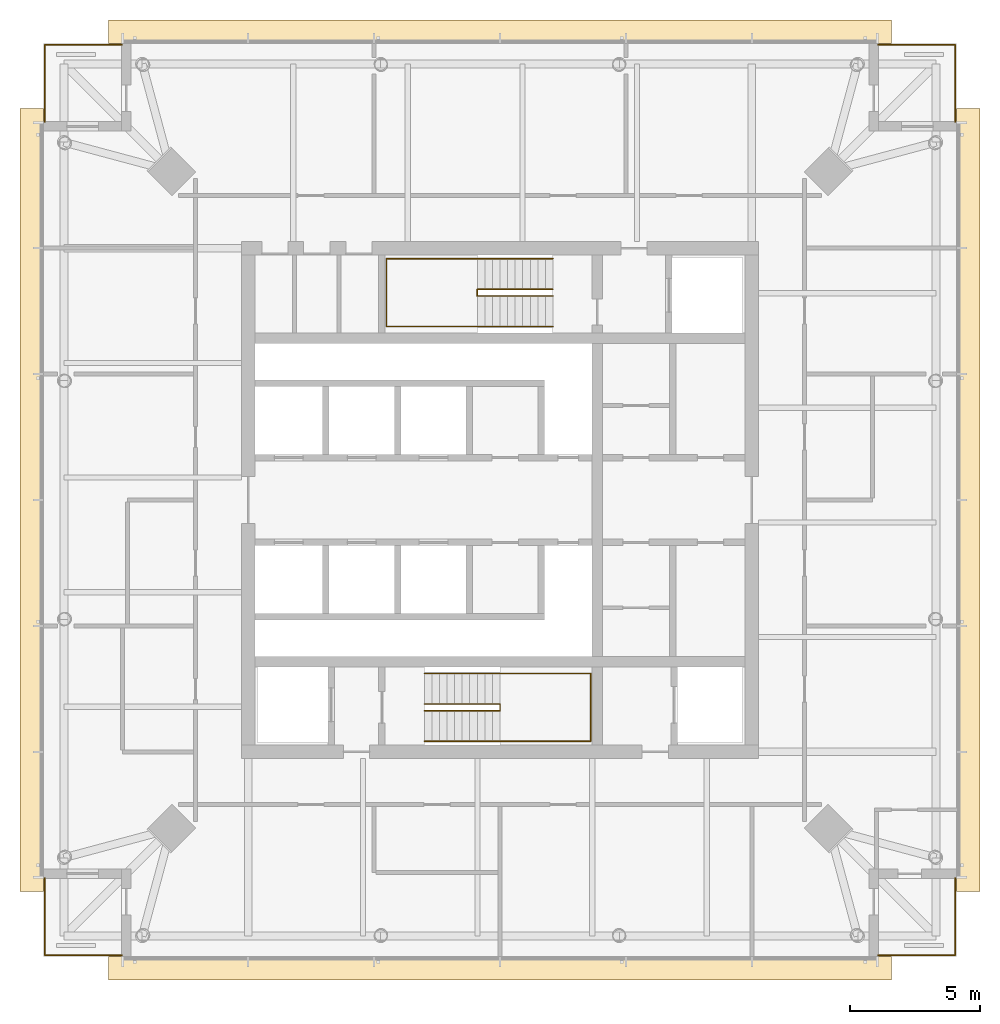
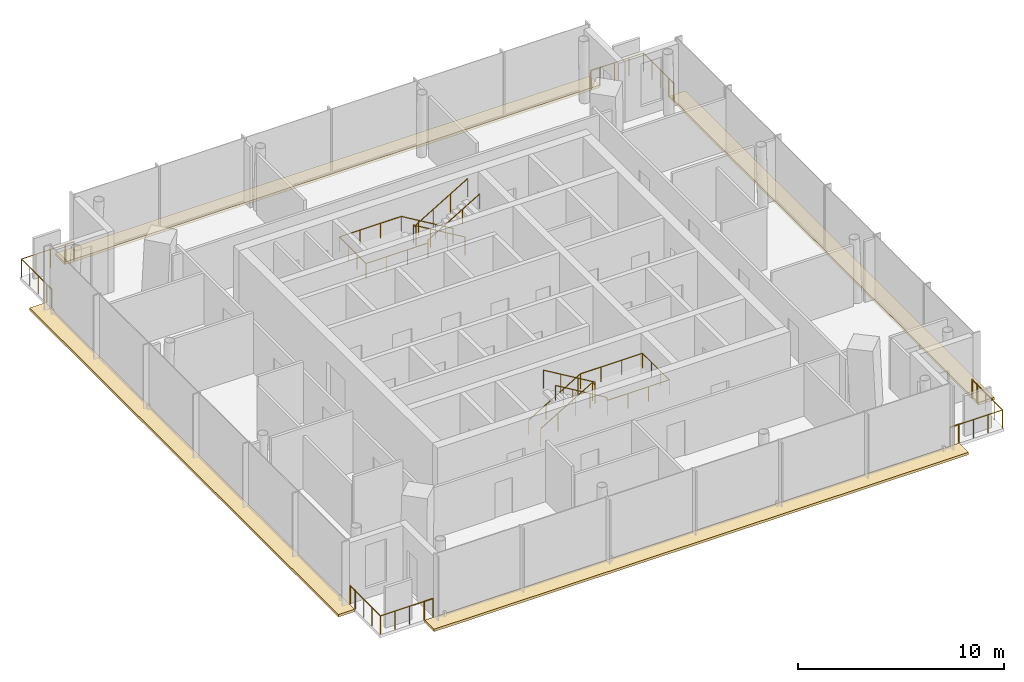
# One storey, part 11 of 11: 16 railings, 4 coverings.
"""IFC4 building model written with IfcOpenShell, lengths in metres."""

from ifc_helpers import new_model, si_unit, direction, frame, origin, origin_2d, place, context, subcontext, project, spatial, polyline, circle, outline, extrude, material, layer, layer_set, type_object, element, save


model = new_model("IFC4")

# Units and contexts
model_context = context("Model", 3, precision=1e-05, world=origin(), true_north=direction((0.0, 1.0)))
body_context = subcontext(model_context, "Body", "Model", "MODEL_VIEW")
ifc_project = project(units=[si_unit("LENGTHUNIT", "METRE"), si_unit("AREAUNIT", "SQUARE_METRE"), si_unit("VOLUMEUNIT", "CUBIC_METRE"), si_unit("PLANEANGLEUNIT", "RADIAN"), si_unit("MASSUNIT", "GRAM", prefix="KILO")], contexts=[model_context])

# Site, building, storey
site_placement = place(None, origin())
site = spatial("IfcSite", under=ifc_project, at=site_placement, CompositionType="ELEMENT")
building_placement = place(site_placement, origin())
building = spatial("IfcBuilding", under=site, at=building_placement, Name="Ostroluk Exchange", CompositionType="ELEMENT")
storey_placement = place(building_placement, frame((0.0, 0.0, 249.0)))
storey = spatial("IfcBuildingStorey", under=building, at=storey_placement, Name="L64", CompositionType="ELEMENT", Elevation=249.0)

# Railings
ifc_material_1 = material(Name="Stainless steel", Category="steel")
railing_type_1 = type_object("IfcRailingType", Name="Guard 1100 stainless steel", PredefinedType="GUARDRAIL", material=ifc_material_1)
railing_1_placement = place(storey_placement, frame((60.0, 28.550048828125, 0.0)))
element("IfcRailing", 1, at=railing_1_placement, inside=storey, type_object=railing_type_1, Name="Office tower SE balcony guard L64", PredefinedType="GUARDRAIL", context=body_context, shape_type="SweptSolid", body=[
    extrude(circle(Radius=0.02392578125, at=origin_2d()), frame((0.0, 0.0, 1.076171875), z_axis=(1.0, 0.0, 0.0), x_axis=(0.0, 1.0, 0.0)), (0.0, 0.0, 1.0), 2.449951171875),
    extrude(circle(Radius=0.02392578125, at=origin_2d()), frame((2.449951171875, 0.0, 1.076171875), z_axis=(0.0, 1.0, 0.0), x_axis=(-1.0, 0.0, 0.0)), (0.0, 0.0, 1.0), 2.449951171875),
    extrude(circle(Radius=0.02099609375, at=origin_2d()), origin(), (0.0, 0.0, 1.0), 1.052001953125),
    extrude(circle(Radius=0.02099609375, at=origin_2d()), frame((0.816650390625, 0.0, 0.0)), (0.0, 0.0, 1.0), 1.052001953125),
    extrude(circle(Radius=0.02099609375, at=origin_2d()), frame((1.63330078125, 0.0, 0.0)), (0.0, 0.0, 1.0), 1.052001953125),
    extrude(circle(Radius=0.02099609375, at=origin_2d()), frame((2.449951171875, 0.0, 0.0)), (0.0, 0.0, 1.0), 1.052001953125),
    extrude(circle(Radius=0.02099609375, at=origin_2d()), frame((2.449951171875, 0.816650390625, 0.0)), (0.0, 0.0, 1.0), 1.052001953125),
    extrude(circle(Radius=0.02099609375, at=origin_2d()), frame((2.449951171875, 1.63330078125, 0.0)), (0.0, 0.0, 1.0), 1.052001953125),
    extrude(circle(Radius=0.02099609375, at=origin_2d()), frame((2.449951171875, 2.449951171875, 0.0)), (0.0, 0.0, 1.0), 1.052001953125),
])
railing_2_placement = place(storey_placement, frame((60.0, 63.449951171875, 0.0)))
element("IfcRailing", 2, at=railing_2_placement, inside=storey, type_object=railing_type_1, Name="Office tower NE balcony guard L64", PredefinedType="GUARDRAIL", context=body_context, shape_type="SweptSolid", body=[
    extrude(circle(Radius=0.02392578125, at=origin_2d()), frame((0.0, 0.0, 1.076171875), z_axis=(1.0, 0.0, 0.0), x_axis=(0.0, 1.0, 0.0)), (0.0, 0.0, 1.0), 2.449951171875),
    extrude(circle(Radius=0.02392578125, at=origin_2d()), frame((2.449951171875, 0.0, 1.076171875), z_axis=(0.0, -1.0, 0.0), x_axis=(1.0, 0.0, 0.0)), (0.0, 0.0, 1.0), 2.449951171875),
    extrude(circle(Radius=0.02099609375, at=origin_2d()), origin(), (0.0, 0.0, 1.0), 1.052001953125),
    extrude(circle(Radius=0.02099609375, at=origin_2d()), frame((0.816650390625, 0.0, 0.0)), (0.0, 0.0, 1.0), 1.052001953125),
    extrude(circle(Radius=0.02099609375, at=origin_2d()), frame((1.63330078125, 0.0, 0.0)), (0.0, 0.0, 1.0), 1.052001953125),
    extrude(circle(Radius=0.02099609375, at=origin_2d()), frame((2.449951171875, 0.0, 0.0)), (0.0, 0.0, 1.0), 1.052001953125),
    extrude(circle(Radius=0.02099609375, at=origin_2d()), frame((2.449951171875, -0.816650390625, 0.0)), (0.0, 0.0, 1.0), 1.052001953125),
    extrude(circle(Radius=0.02099609375, at=origin_2d()), frame((2.449951171875, -1.63330078125, 0.0)), (0.0, 0.0, 1.0), 1.052001953125),
    extrude(circle(Radius=0.02099609375, at=origin_2d()), frame((2.449951171875, -2.449951171875, 0.0)), (0.0, 0.0, 1.0), 1.052001953125),
])
railing_3_placement = place(storey_placement, frame((30.0, 63.449951171875, 0.0)))
element("IfcRailing", 3, at=railing_3_placement, inside=storey, type_object=railing_type_1, Name="Office tower NW balcony guard L64", PredefinedType="GUARDRAIL", context=body_context, shape_type="SweptSolid", body=[
    extrude(circle(Radius=0.02392578125, at=origin_2d()), frame((0.0, 0.0, 1.076171875), z_axis=(-1.0, 0.0, 0.0), x_axis=(0.0, -1.0, 0.0)), (0.0, 0.0, 1.0), 2.449951171875),
    extrude(circle(Radius=0.02392578125, at=origin_2d()), frame((-2.449951171875, 0.0, 1.076171875), z_axis=(0.0, -1.0, 0.0), x_axis=(1.0, 0.0, 0.0)), (0.0, 0.0, 1.0), 2.449951171875),
    extrude(circle(Radius=0.02099609375, at=origin_2d()), origin(), (0.0, 0.0, 1.0), 1.052001953125),
    extrude(circle(Radius=0.02099609375, at=origin_2d()), frame((-0.816650390625, 0.0, 0.0)), (0.0, 0.0, 1.0), 1.052001953125),
    extrude(circle(Radius=0.02099609375, at=origin_2d()), frame((-1.63330078125, 0.0, 0.0)), (0.0, 0.0, 1.0), 1.052001953125),
    extrude(circle(Radius=0.02099609375, at=origin_2d()), frame((-2.449951171875, 0.0, 0.0)), (0.0, 0.0, 1.0), 1.052001953125),
    extrude(circle(Radius=0.02099609375, at=origin_2d()), frame((-2.449951171875, -0.816650390625, 0.0)), (0.0, 0.0, 1.0), 1.052001953125),
    extrude(circle(Radius=0.02099609375, at=origin_2d()), frame((-2.449951171875, -1.63330078125, 0.0)), (0.0, 0.0, 1.0), 1.052001953125),
    extrude(circle(Radius=0.02099609375, at=origin_2d()), frame((-2.449951171875, -2.449951171875, 0.0)), (0.0, 0.0, 1.0), 1.052001953125),
])
railing_4_placement = place(storey_placement, frame((30.0, 28.550048828125, 0.0)))
element("IfcRailing", 4, at=railing_4_placement, inside=storey, type_object=railing_type_1, Name="Office tower SW balcony guard L64", PredefinedType="GUARDRAIL", context=body_context, shape_type="SweptSolid", body=[
    extrude(circle(Radius=0.02392578125, at=origin_2d()), frame((0.0, 0.0, 1.076171875), z_axis=(-1.0, 0.0, 0.0), x_axis=(0.0, -1.0, 0.0)), (0.0, 0.0, 1.0), 2.449951171875),
    extrude(circle(Radius=0.02392578125, at=origin_2d()), frame((-2.449951171875, 0.0, 1.076171875), z_axis=(0.0, 1.0, 0.0), x_axis=(-1.0, 0.0, 0.0)), (0.0, 0.0, 1.0), 2.449951171875),
    extrude(circle(Radius=0.02099609375, at=origin_2d()), origin(), (0.0, 0.0, 1.0), 1.052001953125),
    extrude(circle(Radius=0.02099609375, at=origin_2d()), frame((-0.816650390625, 0.0, 0.0)), (0.0, 0.0, 1.0), 1.052001953125),
    extrude(circle(Radius=0.02099609375, at=origin_2d()), frame((-1.63330078125, 0.0, 0.0)), (0.0, 0.0, 1.0), 1.052001953125),
    extrude(circle(Radius=0.02099609375, at=origin_2d()), frame((-2.449951171875, 0.0, 0.0)), (0.0, 0.0, 1.0), 1.052001953125),
    extrude(circle(Radius=0.02099609375, at=origin_2d()), frame((-2.449951171875, 0.816650390625, 0.0)), (0.0, 0.0, 1.0), 1.052001953125),
    extrude(circle(Radius=0.02099609375, at=origin_2d()), frame((-2.449951171875, 1.63330078125, 0.0)), (0.0, 0.0, 1.0), 1.052001953125),
    extrude(circle(Radius=0.02099609375, at=origin_2d()), frame((-2.449951171875, 2.449951171875, 0.0)), (0.0, 0.0, 1.0), 1.052001953125),
])
ifc_material_2 = material(Name="Stainless steel", Category="steel")
railing_type_2 = type_object("IfcRailingType", Name="Lockable maintenance gate 1100", PredefinedType="GUARDRAIL", material=ifc_material_2)
railing_5_placement = place(storey_placement, frame((59.5, 28.550048828125, 0.0)))
element("IfcRailing", 5, at=railing_5_placement, inside=storey, type_object=railing_type_2, Name="Lockable maintenance gate T1 L64 SE", PredefinedType="GUARDRAIL", context=body_context, shape_type="SweptSolid", body=[
    extrude(circle(Radius=0.02392578125, at=origin_2d()), frame((0.0, 0.0, 1.076171875), z_axis=(1.0, 0.0, 0.0), x_axis=(0.0, 1.0, 0.0)), (0.0, 0.0, 1.0), 0.5),
    extrude(circle(Radius=0.02099609375, at=origin_2d()), origin(), (0.0, 0.0, 1.0), 1.052001953125),
    extrude(circle(Radius=0.02099609375, at=origin_2d()), frame((0.5, 0.0, 0.0)), (0.0, 0.0, 1.0), 1.052001953125),
])
railing_6_placement = place(storey_placement, frame((62.449951171875, 31.0, 0.0)))
element("IfcRailing", 6, at=railing_6_placement, inside=storey, type_object=railing_type_2, Name="Lockable maintenance gate T1 L64 SE", PredefinedType="GUARDRAIL", context=body_context, shape_type="SweptSolid", body=[
    extrude(circle(Radius=0.02392578125, at=origin_2d()), frame((0.0, 0.0, 1.076171875), z_axis=(0.0, 1.0, 0.0), x_axis=(-1.0, 0.0, 0.0)), (0.0, 0.0, 1.0), 0.5),
    extrude(circle(Radius=0.02099609375, at=origin_2d()), origin(), (0.0, 0.0, 1.0), 1.052001953125),
    extrude(circle(Radius=0.02099609375, at=origin_2d()), frame((0.0, 0.5, 0.0)), (0.0, 0.0, 1.0), 1.052001953125),
])
railing_7_placement = place(storey_placement, frame((59.5, 63.449951171875, 0.0)))
element("IfcRailing", 7, at=railing_7_placement, inside=storey, type_object=railing_type_2, Name="Lockable maintenance gate T1 L64 NE", PredefinedType="GUARDRAIL", context=body_context, shape_type="SweptSolid", body=[
    extrude(circle(Radius=0.02392578125, at=origin_2d()), frame((0.0, 0.0, 1.076171875), z_axis=(1.0, 0.0, 0.0), x_axis=(0.0, 1.0, 0.0)), (0.0, 0.0, 1.0), 0.5),
    extrude(circle(Radius=0.02099609375, at=origin_2d()), origin(), (0.0, 0.0, 1.0), 1.052001953125),
    extrude(circle(Radius=0.02099609375, at=origin_2d()), frame((0.5, 0.0, 0.0)), (0.0, 0.0, 1.0), 1.052001953125),
])
railing_8_placement = place(storey_placement, frame((62.449951171875, 61.0, 0.0)))
element("IfcRailing", 8, at=railing_8_placement, inside=storey, type_object=railing_type_2, Name="Lockable maintenance gate T1 L64 NE", PredefinedType="GUARDRAIL", context=body_context, shape_type="SweptSolid", body=[
    extrude(circle(Radius=0.02392578125, at=origin_2d()), frame((0.0, 0.0, 1.076171875), z_axis=(0.0, -1.0, 0.0), x_axis=(1.0, 0.0, 0.0)), (0.0, 0.0, 1.0), 0.5),
    extrude(circle(Radius=0.02099609375, at=origin_2d()), origin(), (0.0, 0.0, 1.0), 1.052001953125),
    extrude(circle(Radius=0.02099609375, at=origin_2d()), frame((0.0, -0.5, 0.0)), (0.0, 0.0, 1.0), 1.052001953125),
])
railing_9_placement = place(storey_placement, frame((30.5, 63.449951171875, 0.0)))
element("IfcRailing", 9, at=railing_9_placement, inside=storey, type_object=railing_type_2, Name="Lockable maintenance gate T1 L64 NW", PredefinedType="GUARDRAIL", context=body_context, shape_type="SweptSolid", body=[
    extrude(circle(Radius=0.02392578125, at=origin_2d()), frame((0.0, 0.0, 1.076171875), z_axis=(-1.0, 0.0, 0.0), x_axis=(0.0, -1.0, 0.0)), (0.0, 0.0, 1.0), 0.5),
    extrude(circle(Radius=0.02099609375, at=origin_2d()), origin(), (0.0, 0.0, 1.0), 1.052001953125),
    extrude(circle(Radius=0.02099609375, at=origin_2d()), frame((-0.5, 0.0, 0.0)), (0.0, 0.0, 1.0), 1.052001953125),
])
railing_10_placement = place(storey_placement, frame((27.550048828125, 61.0, 0.0)))
element("IfcRailing", 10, at=railing_10_placement, inside=storey, type_object=railing_type_2, Name="Lockable maintenance gate T1 L64 NW", PredefinedType="GUARDRAIL", context=body_context, shape_type="SweptSolid", body=[
    extrude(circle(Radius=0.02392578125, at=origin_2d()), frame((0.0, 0.0, 1.076171875), z_axis=(0.0, -1.0, 0.0), x_axis=(1.0, 0.0, 0.0)), (0.0, 0.0, 1.0), 0.5),
    extrude(circle(Radius=0.02099609375, at=origin_2d()), origin(), (0.0, 0.0, 1.0), 1.052001953125),
    extrude(circle(Radius=0.02099609375, at=origin_2d()), frame((0.0, -0.5, 0.0)), (0.0, 0.0, 1.0), 1.052001953125),
])
railing_11_placement = place(storey_placement, frame((30.5, 28.550048828125, 0.0)))
element("IfcRailing", 11, at=railing_11_placement, inside=storey, type_object=railing_type_2, Name="Lockable maintenance gate T1 L64 SW", PredefinedType="GUARDRAIL", context=body_context, shape_type="SweptSolid", body=[
    extrude(circle(Radius=0.02392578125, at=origin_2d()), frame((0.0, 0.0, 1.076171875), z_axis=(-1.0, 0.0, 0.0), x_axis=(0.0, -1.0, 0.0)), (0.0, 0.0, 1.0), 0.5),
    extrude(circle(Radius=0.02099609375, at=origin_2d()), origin(), (0.0, 0.0, 1.0), 1.052001953125),
    extrude(circle(Radius=0.02099609375, at=origin_2d()), frame((-0.5, 0.0, 0.0)), (0.0, 0.0, 1.0), 1.052001953125),
])
railing_12_placement = place(storey_placement, frame((27.550048828125, 31.0, 0.0)))
element("IfcRailing", 12, at=railing_12_placement, inside=storey, type_object=railing_type_2, Name="Lockable maintenance gate T1 L64 SW", PredefinedType="GUARDRAIL", context=body_context, shape_type="SweptSolid", body=[
    extrude(circle(Radius=0.02392578125, at=origin_2d()), frame((0.0, 0.0, 1.076171875), z_axis=(0.0, 1.0, 0.0), x_axis=(-1.0, 0.0, 0.0)), (0.0, 0.0, 1.0), 0.5),
    extrude(circle(Radius=0.02099609375, at=origin_2d()), origin(), (0.0, 0.0, 1.0), 1.052001953125),
    extrude(circle(Radius=0.02099609375, at=origin_2d()), frame((0.0, 0.5, 0.0)), (0.0, 0.0, 1.0), 1.052001953125),
])

# Coverings
ifc_material_3 = material(Name="Insulated steel roof deck with membrane, laid to falls, aluminium coping", Category="steel")
ifc_layer = layer(ifc_material_3, 0.14990234375)
ifc_layer_set = layer_set([ifc_layer], Name="Setback maintenance roof")
covering_type = type_object("IfcCoveringType", Name="Setback maintenance roof", PredefinedType="ROOFING", material=ifc_layer_set)
covering_1_placement = place(storey_placement, frame((0.0, 0.0, -0.14990234375)))
element("IfcCovering", 13, at=covering_1_placement, inside=storey, type_object=covering_type, Name="Maintenance roof, setback L64 south", PredefinedType="ROOFING", context=body_context, shape_type="SweptSolid", body=[
    extrude(outline(polyline([(30.0, 28.5), (60.0, 28.5), (60.0, 27.60009765625), (30.0, 27.60009765625), (30.0, 28.5)])), origin(), (0.0, 0.0, 1.0), 0.14990234375),
])
covering_2_placement = place(storey_placement, frame((0.0, 0.0, -0.14990234375)))
element("IfcCovering", 14, at=covering_2_placement, inside=storey, type_object=covering_type, Name="Maintenance roof, setback L64 east", PredefinedType="ROOFING", context=body_context, shape_type="SweptSolid", body=[
    extrude(outline(polyline([(62.5, 61.0), (63.39990234375, 61.0), (63.39990234375, 31.0), (62.5, 31.0), (62.5, 61.0)])), origin(), (0.0, 0.0, 1.0), 0.14990234375),
])
covering_3_placement = place(storey_placement, frame((0.0, 0.0, -0.14990234375)))
element("IfcCovering", 15, at=covering_3_placement, inside=storey, type_object=covering_type, Name="Maintenance roof, setback L64 north", PredefinedType="ROOFING", context=body_context, shape_type="SweptSolid", body=[
    extrude(outline(polyline([(30.0, 64.39990234375), (60.0, 64.39990234375), (60.0, 63.5), (30.0, 63.5), (30.0, 64.39990234375)])), origin(), (0.0, 0.0, 1.0), 0.14990234375),
])
covering_4_placement = place(storey_placement, frame((0.0, 0.0, -0.14990234375)))
element("IfcCovering", 16, at=covering_4_placement, inside=storey, type_object=covering_type, Name="Maintenance roof, setback L64 west", PredefinedType="ROOFING", context=body_context, shape_type="SweptSolid", body=[
    extrude(outline(polyline([(26.60009765625, 61.0), (27.5, 61.0), (27.5, 31.0), (26.60009765625, 31.0), (26.60009765625, 61.0)])), origin(), (0.0, 0.0, 1.0), 0.14990234375),
])

# Railings
ifc_material_4 = material(Name="Steel S355", Category="steel")
railing_type_3 = type_object("IfcRailingType", Name="Stair guard 1100", PredefinedType="GUARDRAIL", material=ifc_material_4)
railing_13_placement = place(storey_placement, frame((42.10009765625, 38.179931640625, 0.172607421875)))
element("IfcRailing", 17, at=railing_13_placement, inside=storey, type_object=railing_type_3, Name="Stair T1-S1 guard L64", PredefinedType="GUARDRAIL", context=body_context, shape_type="SweptSolid", body=[
    extrude(circle(Radius=0.02392578125, at=origin_2d()), frame((0.0, 0.0, 1.076171875), z_axis=(0.859141464434, 0.0, 0.511738159696), x_axis=(0.0, 1.0, 0.0)), (0.0, 0.0, 1.0), 3.375244140625),
    extrude(circle(Radius=0.02392578125, at=origin_2d()), frame((2.89990234375, 0.0, 2.80322265625), z_axis=(0.0, -1.0, 0.0), x_axis=(1.0, 0.0, 0.0)), (0.0, 0.0, 1.0), 0.260009765625),
    extrude(circle(Radius=0.02392578125, at=origin_2d()), frame((2.89990234375, -0.260009765625, 2.80322265625), z_axis=(0.0, 0.0, 1.0), x_axis=(1.0, 0.0, 0.0)), (0.0, 0.0, 1.0), 0.1728515625),
    extrude(circle(Radius=0.02392578125, at=origin_2d()), frame((2.89990234375, -0.260009765625, 2.97607421875), z_axis=(-0.859141464434, 0.0, 0.511738159696), x_axis=(0.0, -1.0, 0.0)), (0.0, 0.0, 1.0), 3.375244140625),
    extrude(circle(Radius=0.02099609375, at=origin_2d()), origin(), (0.0, 0.0, 1.0), 1.052001953125),
    extrude(circle(Radius=0.02099609375, at=origin_2d()), frame((0.966552734375, 0.0, 0.57568359375)), (0.0, 0.0, 1.0), 1.052001953125),
    extrude(circle(Radius=0.02099609375, at=origin_2d()), frame((1.933349609375, 0.0, 1.151611328125)), (0.0, 0.0, 1.0), 1.052001953125),
    extrude(circle(Radius=0.02099609375, at=origin_2d()), frame((2.89990234375, 0.0, 1.727294921875)), (0.0, 0.0, 1.0), 1.052001953125),
    extrude(circle(Radius=0.02099609375, at=origin_2d()), frame((2.89990234375, -0.260009765625, 1.727294921875)), (0.0, 0.0, 1.0), 1.052001953125),
    extrude(circle(Radius=0.02099609375, at=origin_2d()), frame((2.89990234375, -0.260009765625, 1.900146484375)), (0.0, 0.0, 1.0), 1.052001953125),
    extrude(circle(Radius=0.02099609375, at=origin_2d()), frame((1.933349609375, -0.260009765625, 2.475830078125)), (0.0, 0.0, 1.0), 1.052001953125),
    extrude(circle(Radius=0.02099609375, at=origin_2d()), frame((0.966552734375, -0.260009765625, 3.0517578125)), (0.0, 0.0, 1.0), 1.052001953125),
    extrude(circle(Radius=0.02099609375, at=origin_2d()), frame((0.0, -0.260009765625, 3.62744140625)), (0.0, 0.0, 1.0), 1.052001953125),
])
railing_14_placement = place(storey_placement, frame((47.030029296875, 54.080078125, 0.172607421875)))
element("IfcRailing", 18, at=railing_14_placement, inside=storey, type_object=railing_type_3, Name="Stair T1-S2 guard L64", PredefinedType="GUARDRAIL", context=body_context, shape_type="SweptSolid", body=[
    extrude(circle(Radius=0.02392578125, at=origin_2d()), frame((0.0, 0.0, 1.076171875), z_axis=(-0.859160404282, 0.0, 0.51170636083), x_axis=(0.0, -1.0, 0.0)), (0.0, 0.0, 1.0), 3.37548828125),
    extrude(circle(Radius=0.02392578125, at=origin_2d()), frame((-2.900146484375, 0.0, 2.80322265625), z_axis=(0.0, -1.0, 0.0), x_axis=(1.0, 0.0, 0.0)), (0.0, 0.0, 1.0), 0.260009765625),
    extrude(circle(Radius=0.02392578125, at=origin_2d()), frame((-2.900146484375, -0.260009765625, 2.80322265625), z_axis=(0.0, 0.0, 1.0), x_axis=(1.0, 0.0, 0.0)), (0.0, 0.0, 1.0), 0.1728515625),
    extrude(circle(Radius=0.02392578125, at=origin_2d()), frame((-2.900146484375, -0.260009765625, 2.97607421875), z_axis=(0.859160404282, 0.0, 0.51170636083), x_axis=(0.0, 1.0, 0.0)), (0.0, 0.0, 1.0), 3.37548828125),
    extrude(circle(Radius=0.02099609375, at=origin_2d()), origin(), (0.0, 0.0, 1.0), 1.052001953125),
    extrude(circle(Radius=0.02099609375, at=origin_2d()), frame((-0.966796875, 0.0, 0.57568359375)), (0.0, 0.0, 1.0), 1.052001953125),
    extrude(circle(Radius=0.02099609375, at=origin_2d()), frame((-1.933349609375, 0.0, 1.151611328125)), (0.0, 0.0, 1.0), 1.052001953125),
    extrude(circle(Radius=0.02099609375, at=origin_2d()), frame((-2.900146484375, 0.0, 1.727294921875)), (0.0, 0.0, 1.0), 1.052001953125),
    extrude(circle(Radius=0.02099609375, at=origin_2d()), frame((-2.900146484375, -0.260009765625, 1.727294921875)), (0.0, 0.0, 1.0), 1.052001953125),
    extrude(circle(Radius=0.02099609375, at=origin_2d()), frame((-2.900146484375, -0.260009765625, 1.900146484375)), (0.0, 0.0, 1.0), 1.052001953125),
    extrude(circle(Radius=0.02099609375, at=origin_2d()), frame((-1.933349609375, -0.260009765625, 2.475830078125)), (0.0, 0.0, 1.0), 1.052001953125),
    extrude(circle(Radius=0.02099609375, at=origin_2d()), frame((-0.966796875, -0.260009765625, 3.0517578125)), (0.0, 0.0, 1.0), 1.052001953125),
    extrude(circle(Radius=0.02099609375, at=origin_2d()), frame((0.0, -0.260009765625, 3.62744140625)), (0.0, 0.0, 1.0), 1.052001953125),
])
ifc_material_5 = material(Name="Stainless steel", Category="steel")
railing_type_4 = type_object("IfcRailingType", Name="Stair handrail 900", PredefinedType="HANDRAIL", material=ifc_material_5)
railing_15_placement = place(storey_placement, frame((42.10009765625, 39.35009765625, 0.172607421875)))
element("IfcRailing", 19, at=railing_15_placement, inside=storey, type_object=railing_type_4, Name="Stair T1-S1 handrail L64", PredefinedType="HANDRAIL", context=body_context, shape_type="SweptSolid", body=[
    extrude(circle(Radius=0.02392578125, at=origin_2d()), frame((0.0, 0.0, 0.8759765625), z_axis=(0.859141464434, 0.0, 0.511738159696), x_axis=(0.0, 1.0, 0.0)), (0.0, 0.0, 1.0), 3.375244140625),
    extrude(circle(Radius=0.02392578125, at=origin_2d()), frame((2.89990234375, 0.0, 2.60302734375), z_axis=(1.0, 0.0, 0.0), x_axis=(0.0, 1.0, 0.0)), (0.0, 0.0, 1.0), 3.47998046875),
    extrude(circle(Radius=0.02392578125, at=origin_2d()), frame((6.3798828125, 0.0, 2.60302734375), z_axis=(0.0, -1.0, 0.0), x_axis=(1.0, 0.0, 0.0)), (0.0, 0.0, 1.0), 2.60009765625),
    extrude(circle(Radius=0.02392578125, at=origin_2d()), frame((6.3798828125, -2.60009765625, 2.60302734375), z_axis=(-1.0, 0.0, 0.0), x_axis=(0.0, -1.0, 0.0)), (0.0, 0.0, 1.0), 3.47998046875),
    extrude(circle(Radius=0.02392578125, at=origin_2d()), frame((2.89990234375, -2.60009765625, 2.60302734375), z_axis=(0.0, 0.0, 1.0), x_axis=(1.0, 0.0, 0.0)), (0.0, 0.0, 1.0), 0.1728515625),
    extrude(circle(Radius=0.02392578125, at=origin_2d()), frame((2.89990234375, -2.60009765625, 2.77587890625), z_axis=(-0.859141464434, 0.0, 0.511738159696), x_axis=(0.0, -1.0, 0.0)), (0.0, 0.0, 1.0), 3.375244140625),
    extrude(circle(Radius=0.02099609375, at=origin_2d()), origin(), (0.0, 0.0, 1.0), 0.851806640625),
    extrude(circle(Radius=0.02099609375, at=origin_2d()), frame((0.966552734375, 0.0, 0.57568359375)), (0.0, 0.0, 1.0), 0.851806640625),
    extrude(circle(Radius=0.02099609375, at=origin_2d()), frame((1.933349609375, 0.0, 1.151611328125)), (0.0, 0.0, 1.0), 0.851806640625),
    extrude(circle(Radius=0.02099609375, at=origin_2d()), frame((2.89990234375, 0.0, 1.727294921875)), (0.0, 0.0, 1.0), 0.851806640625),
    extrude(circle(Radius=0.02099609375, at=origin_2d()), frame((4.059814453125, 0.0, 1.727294921875)), (0.0, 0.0, 1.0), 0.851806640625),
    extrude(circle(Radius=0.02099609375, at=origin_2d()), frame((5.219970703125, 0.0, 1.727294921875)), (0.0, 0.0, 1.0), 0.851806640625),
    extrude(circle(Radius=0.02099609375, at=origin_2d()), frame((6.3798828125, 0.0, 1.727294921875)), (0.0, 0.0, 1.0), 0.851806640625),
    extrude(circle(Radius=0.02099609375, at=origin_2d()), frame((6.3798828125, -0.86669921875, 1.727294921875)), (0.0, 0.0, 1.0), 0.851806640625),
    extrude(circle(Radius=0.02099609375, at=origin_2d()), frame((6.3798828125, -1.7333984375, 1.727294921875)), (0.0, 0.0, 1.0), 0.851806640625),
    extrude(circle(Radius=0.02099609375, at=origin_2d()), frame((6.3798828125, -2.60009765625, 1.727294921875)), (0.0, 0.0, 1.0), 0.851806640625),
    extrude(circle(Radius=0.02099609375, at=origin_2d()), frame((5.219970703125, -2.60009765625, 1.727294921875)), (0.0, 0.0, 1.0), 0.851806640625),
    extrude(circle(Radius=0.02099609375, at=origin_2d()), frame((4.059814453125, -2.60009765625, 1.727294921875)), (0.0, 0.0, 1.0), 0.851806640625),
    extrude(circle(Radius=0.02099609375, at=origin_2d()), frame((2.89990234375, -2.60009765625, 1.727294921875)), (0.0, 0.0, 1.0), 0.851806640625),
    extrude(circle(Radius=0.02099609375, at=origin_2d()), frame((2.89990234375, -2.60009765625, 1.900146484375)), (0.0, 0.0, 1.0), 0.851806640625),
    extrude(circle(Radius=0.02099609375, at=origin_2d()), frame((1.933349609375, -2.60009765625, 2.475830078125)), (0.0, 0.0, 1.0), 0.851806640625),
    extrude(circle(Radius=0.02099609375, at=origin_2d()), frame((0.966552734375, -2.60009765625, 3.0517578125)), (0.0, 0.0, 1.0), 0.851806640625),
    extrude(circle(Radius=0.02099609375, at=origin_2d()), frame((0.0, -2.60009765625, 3.62744140625)), (0.0, 0.0, 1.0), 0.851806640625),
])
railing_16_placement = place(storey_placement, frame((47.030029296875, 55.25, 0.172607421875)))
element("IfcRailing", 20, at=railing_16_placement, inside=storey, type_object=railing_type_4, Name="Stair T1-S2 handrail L64", PredefinedType="HANDRAIL", context=body_context, shape_type="SweptSolid", body=[
    extrude(circle(Radius=0.02392578125, at=origin_2d()), frame((0.0, 0.0, 0.8759765625), z_axis=(-0.859160404282, 0.0, 0.51170636083), x_axis=(0.0, -1.0, 0.0)), (0.0, 0.0, 1.0), 3.37548828125),
    extrude(circle(Radius=0.02392578125, at=origin_2d()), frame((-2.900146484375, 0.0, 2.60302734375), z_axis=(-1.0, 0.0, 0.0), x_axis=(0.0, -1.0, 0.0)), (0.0, 0.0, 1.0), 3.47998046875),
    extrude(circle(Radius=0.02392578125, at=origin_2d()), frame((-6.380126953125, 0.0, 2.60302734375), z_axis=(0.0, -1.0, 0.0), x_axis=(1.0, 0.0, 0.0)), (0.0, 0.0, 1.0), 2.60009765625),
    extrude(circle(Radius=0.02392578125, at=origin_2d()), frame((-6.380126953125, -2.60009765625, 2.60302734375), z_axis=(1.0, 0.0, 0.0), x_axis=(0.0, 1.0, 0.0)), (0.0, 0.0, 1.0), 3.47998046875),
    extrude(circle(Radius=0.02392578125, at=origin_2d()), frame((-2.900146484375, -2.60009765625, 2.60302734375), z_axis=(0.0, 0.0, 1.0), x_axis=(1.0, 0.0, 0.0)), (0.0, 0.0, 1.0), 0.1728515625),
    extrude(circle(Radius=0.02392578125, at=origin_2d()), frame((-2.900146484375, -2.60009765625, 2.77587890625), z_axis=(0.859160404282, 0.0, 0.51170636083), x_axis=(0.0, 1.0, 0.0)), (0.0, 0.0, 1.0), 3.37548828125),
    extrude(circle(Radius=0.02099609375, at=origin_2d()), origin(), (0.0, 0.0, 1.0), 0.851806640625),
    extrude(circle(Radius=0.02099609375, at=origin_2d()), frame((-0.966796875, 0.0, 0.57568359375)), (0.0, 0.0, 1.0), 0.851806640625),
    extrude(circle(Radius=0.02099609375, at=origin_2d()), frame((-1.933349609375, 0.0, 1.151611328125)), (0.0, 0.0, 1.0), 0.851806640625),
    extrude(circle(Radius=0.02099609375, at=origin_2d()), frame((-2.900146484375, 0.0, 1.727294921875)), (0.0, 0.0, 1.0), 0.851806640625),
    extrude(circle(Radius=0.02099609375, at=origin_2d()), frame((-4.06005859375, 0.0, 1.727294921875)), (0.0, 0.0, 1.0), 0.851806640625),
    extrude(circle(Radius=0.02099609375, at=origin_2d()), frame((-5.22021484375, 0.0, 1.727294921875)), (0.0, 0.0, 1.0), 0.851806640625),
    extrude(circle(Radius=0.02099609375, at=origin_2d()), frame((-6.380126953125, 0.0, 1.727294921875)), (0.0, 0.0, 1.0), 0.851806640625),
    extrude(circle(Radius=0.02099609375, at=origin_2d()), frame((-6.380126953125, -0.86669921875, 1.727294921875)), (0.0, 0.0, 1.0), 0.851806640625),
    extrude(circle(Radius=0.02099609375, at=origin_2d()), frame((-6.380126953125, -1.7333984375, 1.727294921875)), (0.0, 0.0, 1.0), 0.851806640625),
    extrude(circle(Radius=0.02099609375, at=origin_2d()), frame((-6.380126953125, -2.60009765625, 1.727294921875)), (0.0, 0.0, 1.0), 0.851806640625),
    extrude(circle(Radius=0.02099609375, at=origin_2d()), frame((-5.22021484375, -2.60009765625, 1.727294921875)), (0.0, 0.0, 1.0), 0.851806640625),
    extrude(circle(Radius=0.02099609375, at=origin_2d()), frame((-4.06005859375, -2.60009765625, 1.727294921875)), (0.0, 0.0, 1.0), 0.851806640625),
    extrude(circle(Radius=0.02099609375, at=origin_2d()), frame((-2.900146484375, -2.60009765625, 1.727294921875)), (0.0, 0.0, 1.0), 0.851806640625),
    extrude(circle(Radius=0.02099609375, at=origin_2d()), frame((-2.900146484375, -2.60009765625, 1.900146484375)), (0.0, 0.0, 1.0), 0.851806640625),
    extrude(circle(Radius=0.02099609375, at=origin_2d()), frame((-1.933349609375, -2.60009765625, 2.475830078125)), (0.0, 0.0, 1.0), 0.851806640625),
    extrude(circle(Radius=0.02099609375, at=origin_2d()), frame((-0.966796875, -2.60009765625, 3.0517578125)), (0.0, 0.0, 1.0), 0.851806640625),
    extrude(circle(Radius=0.02099609375, at=origin_2d()), frame((0.0, -2.60009765625, 3.62744140625)), (0.0, 0.0, 1.0), 0.851806640625),
])

save(model, "model.ifc")
